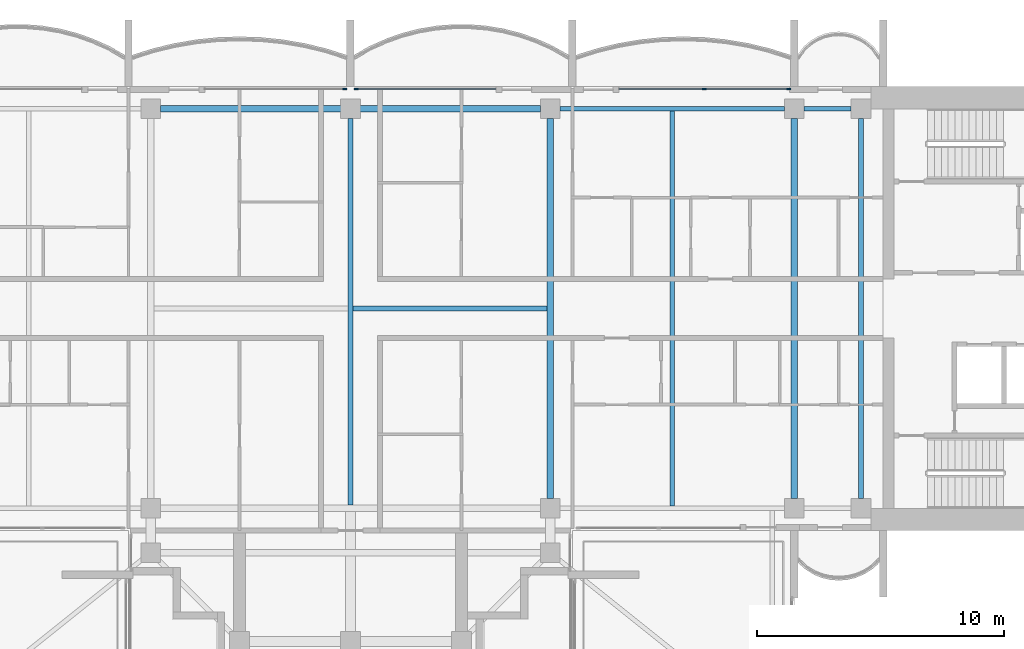
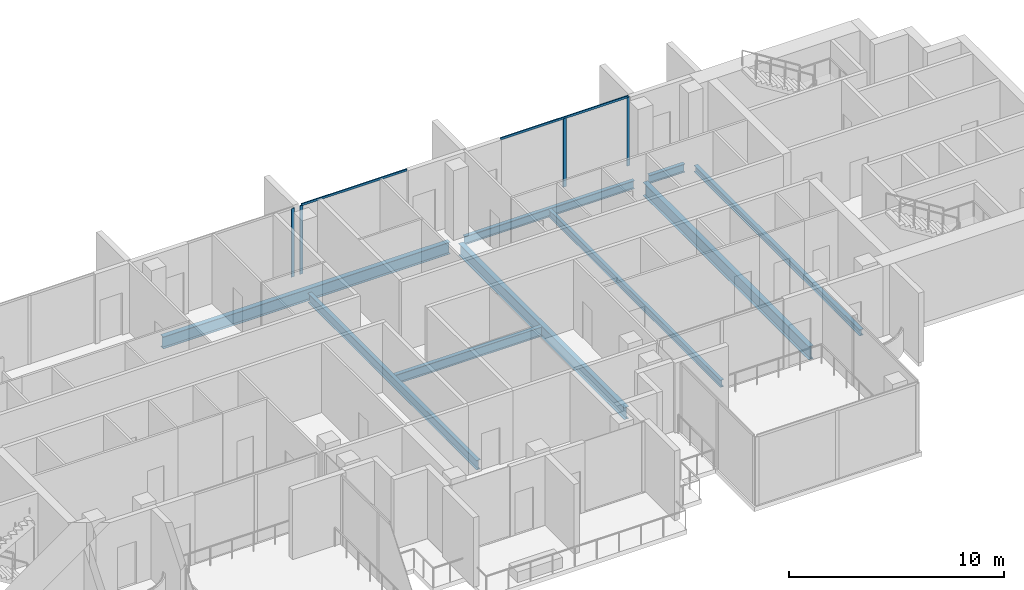
# One storey, part 4 of 16: 9 beams, 6 members, 3 elements without a shape of their own.
"""IFC4 building model written with IfcOpenShell, lengths in metres."""

from ifc_helpers import new_model, si_unit, direction, frame, origin, origin_2d, place, context, subcontext, project, spatial, rectangle, i_section, extrude, material, material_profile, profile_set, type_object, element, aggregate, save


model = new_model("IFC4")

# Units and contexts
model_context = context("Model", 3, precision=1e-05, world=origin(), true_north=direction((0.0, 1.0)))
body_context = subcontext(model_context, "Body", "Model", "MODEL_VIEW")
ifc_project = project(units=[si_unit("LENGTHUNIT", "METRE"), si_unit("AREAUNIT", "SQUARE_METRE"), si_unit("VOLUMEUNIT", "CUBIC_METRE"), si_unit("PLANEANGLEUNIT", "RADIAN"), si_unit("MASSUNIT", "GRAM", prefix="KILO")], contexts=[model_context])

# Site, building, storey
site_placement = place(None, origin())
site = spatial("IfcSite", under=ifc_project, at=site_placement, CompositionType="ELEMENT")
building_placement = place(site_placement, origin())
building = spatial("IfcBuilding", under=site, at=building_placement, Name="Perihelion Cross Residences", CompositionType="ELEMENT")
storey_placement = place(building_placement, frame((0.0, 0.0, 290.39990234375)))
storey = spatial("IfcBuildingStorey", under=building, at=storey_placement, Name="L74", CompositionType="ELEMENT", Elevation=290.39990234375)

# Curtain wall, members
ifc_material_1 = material(Name="Bronze anodised aluminium, tinted glazing", Category="aluminium")
curtain_wall_type = type_object("IfcCurtainWallType", Name="CW1", PredefinedType="NOTDEFINED", material=ifc_material_1)
curtain_wall_1_placement = place(storey_placement, origin())
curtain_wall_1 = element("IfcCurtainWall", 1, at=curtain_wall_1_placement, inside=storey, type_object=curtain_wall_type, Name="Curtain wall CW1 L74 east side north bay 2", PredefinedType="NOTDEFINED")
ifc_material_2 = material(Name="Bronze anodised aluminium", Category="aluminium")
ifc_material_profile_1 = material_profile(ifc_material_2, rectangle(XDim=0.06005859375, YDim=0.159912109375, at=origin_2d()), Name="CW1 mullion")
ifc_profile_set_1 = profile_set([ifc_material_profile_1], Name="Bronze anodised aluminium")
member_type_1 = type_object("IfcMemberType", Name="CW1 mullion", PredefinedType="MULLION", material=ifc_profile_set_1)
member_1_placement = place(storey_placement, frame((17.77001953125, 8.89990234375, 0.0), z_axis=(0.0, 0.0, 1.0), x_axis=(0.0, -1.0, 0.0)))
member_1 = element("IfcMember", 2, at=member_1_placement, type_object=member_type_1, Name="CW1 mullion 1", PredefinedType="MULLION", context=body_context, shape_type="SweptSolid", body=[
    extrude(rectangle(XDim=0.06005859375, YDim=0.159912109375, at=origin_2d()), origin(), (0.0, 0.0, 1.0), 3.89013671875),
])
member_2_placement = place(storey_placement, frame((14.35009765625, 8.89990234375, 0.0), z_axis=(0.0, 0.0, 1.0), x_axis=(0.0, -1.0, 0.0)))
member_2 = element("IfcMember", 3, at=member_2_placement, type_object=member_type_1, Name="CW1 mullion 2", PredefinedType="MULLION", context=body_context, shape_type="SweptSolid", body=[
    extrude(rectangle(XDim=0.06005859375, YDim=0.159912109375, at=origin_2d()), origin(), (0.0, 0.0, 1.0), 3.89013671875),
])

# Curtain wall, member
curtain_wall_2_placement = place(storey_placement, origin())
curtain_wall_2 = element("IfcCurtainWall", 4, at=curtain_wall_2_placement, inside=storey, type_object=curtain_wall_type, Name="Curtain wall CW1 L74 north side east bay 1", PredefinedType="NOTDEFINED")
member_3_placement = place(storey_placement, frame((0.22998046875, 8.89990234375, 0.0), z_axis=(0.0, 0.0, 1.0), x_axis=(0.0, -1.0, 0.0)))
member_3 = element("IfcMember", 5, at=member_3_placement, type_object=member_type_1, Name="CW1 mullion 2", PredefinedType="MULLION", context=body_context, shape_type="SweptSolid", body=[
    extrude(rectangle(XDim=0.06005859375, YDim=0.159912109375, at=origin_2d()), origin(), (0.0, 0.0, 1.0), 3.89013671875),
])

curtain_wall_3_placement = place(storey_placement, origin())
curtain_wall_3 = element("IfcCurtainWall", 6, at=curtain_wall_3_placement, inside=storey, type_object=curtain_wall_type, Name="Curtain wall CW1 L74 north side east bay 2", PredefinedType="NOTDEFINED")
member_4_placement = place(storey_placement, frame((-0.22998046875, 8.89990234375, 0.0), z_axis=(0.0, 0.0, 1.0), x_axis=(0.0, -1.0, 0.0)))
member_4 = element("IfcMember", 7, at=member_4_placement, type_object=member_type_1, Name="CW1 mullion 1", PredefinedType="MULLION", context=body_context, shape_type="SweptSolid", body=[
    extrude(rectangle(XDim=0.06005859375, YDim=0.159912109375, at=origin_2d()), origin(), (0.0, 0.0, 1.0), 3.89013671875),
])
aggregate(curtain_wall_3, [member_4])

# Member
ifc_material_3 = material(Name="Bronze anodised aluminium", Category="aluminium")
ifc_material_profile_2 = material_profile(ifc_material_3, rectangle(XDim=0.06005859375, YDim=0.1201171875, at=origin_2d()), Name="CW1 transom")
ifc_profile_set_2 = profile_set([ifc_material_profile_2], Name="Bronze anodised aluminium")
member_type_2 = type_object("IfcMemberType", Name="CW1 transom", PredefinedType="USERDEFINED", material=ifc_profile_set_2)
member_5_placement = place(storey_placement, frame((17.77001953125, 8.89990234375, 3.920166015625), z_axis=(-1.0, 0.0, 0.0), x_axis=(0.0, -1.0, 0.0)))
member_5 = element("IfcMember", 8, at=member_5_placement, type_object=member_type_2, Name="CW1 head transom", ObjectType="TRANSOM", PredefinedType="USERDEFINED", context=body_context, shape_type="SweptSolid", body=[
    extrude(rectangle(XDim=0.06005859375, YDim=0.1201171875, at=origin_2d()), origin(), (0.0, 0.0, 1.0), 6.8701171875),
])

aggregate(curtain_wall_1, [member_1, member_2, member_5])

member_6_placement = place(storey_placement, frame((5.89990234375, 8.89990234375, 3.920166015625), z_axis=(-1.0, 0.0, 0.0), x_axis=(0.0, -1.0, 0.0)))
member_6 = element("IfcMember", 9, at=member_6_placement, type_object=member_type_2, Name="CW1 head transom", ObjectType="TRANSOM", PredefinedType="USERDEFINED", context=body_context, shape_type="SweptSolid", body=[
    extrude(rectangle(XDim=0.06005859375, YDim=0.1201171875, at=origin_2d()), origin(), (0.0, 0.0, 1.0), 5.669921875),
])

aggregate(curtain_wall_2, [member_3, member_6])

# Beams
ifc_material_4 = material(Name="Steel S355", Category="steel")
ifc_material_profile_3 = material_profile(ifc_material_4, i_section(OverallWidth=0.205078125, OverallDepth=0.35302734375, WebThickness=0.009521484375, FlangeThickness=0.016845703125, at=origin_2d()), Name="W360x79")
ifc_profile_set_3 = profile_set([ifc_material_profile_3], Name="Steel S355")
beam_type_1 = type_object("IfcBeamType", Name="Core edge beam W360x79", PredefinedType="BEAM", material=ifc_profile_set_3)
beam_1_placement = place(storey_placement, frame((20.699951171875, -7.699951171875, -0.426513671875), z_axis=(0.0, 1.0, 0.0), x_axis=(-1.0, 0.0, 0.0)))
element("IfcBeam", 10, at=beam_1_placement, inside=storey, type_object=beam_type_1, Name="Core edge beam TB7 L74 no. 2", PredefinedType="BEAM", context=body_context, shape_type="SweptSolid", body=[
    extrude(i_section(OverallWidth=0.205078125, OverallDepth=0.35302734375, WebThickness=0.009521484375, FlangeThickness=0.016845703125, at=origin_2d()), origin(), (0.0, 0.0, 1.0), 15.39990234375),
])
ifc_material_5 = material(Name="Steel S355", Category="steel")
ifc_material_profile_4 = material_profile(ifc_material_5, i_section(OverallWidth=0.194091796875, OverallDepth=0.469970703125, WebThickness=0.0126953125, FlangeThickness=0.0205078125, at=origin_2d()), Name="W460x106")
ifc_profile_set_4 = profile_set([ifc_material_profile_4], Name="Steel S355")
beam_type_2 = type_object("IfcBeamType", Name="Edge beam W460x106", PredefinedType="SPANDREL", material=ifc_profile_set_4)
beam_2_placement = place(storey_placement, frame((20.300048828125, 8.10009765625, -0.48486328125), z_axis=(-1.0, 0.0, 0.0), x_axis=(0.0, -1.0, 0.0)))
element("IfcBeam", 11, at=beam_2_placement, inside=storey, type_object=beam_type_2, Name="Edge beam SB5 L74 no. 7", PredefinedType="SPANDREL", context=body_context, shape_type="SweptSolid", body=[
    extrude(i_section(OverallWidth=0.194091796875, OverallDepth=0.469970703125, WebThickness=0.0126953125, FlangeThickness=0.0205078125, at=origin_2d()), origin(), (0.0, 0.0, 1.0), 1.900146484375),
])
beam_3_placement = place(storey_placement, frame((17.60009765625, 8.10009765625, -0.48486328125), z_axis=(-1.0, 0.0, 0.0), x_axis=(0.0, -1.0, 0.0)))
element("IfcBeam", 12, at=beam_3_placement, inside=storey, type_object=beam_type_2, Name="Edge beam SB5 L74 no. 6", PredefinedType="SPANDREL", context=body_context, shape_type="SweptSolid", body=[
    extrude(i_section(OverallWidth=0.194091796875, OverallDepth=0.469970703125, WebThickness=0.0126953125, FlangeThickness=0.0205078125, at=origin_2d()), origin(), (0.0, 0.0, 1.0), 9.10009765625),
])
ifc_material_6 = material(Name="Steel S355", Category="steel")
ifc_material_profile_5 = material_profile(ifc_material_6, i_section(OverallWidth=0.26708984375, OverallDepth=0.75390625, WebThickness=0.01318359375, FlangeThickness=0.01708984375, at=origin_2d()), Name="W760x147")
ifc_profile_set_5 = profile_set([ifc_material_profile_5], Name="Steel S355")
beam_type_3 = type_object("IfcBeamType", Name="Floor girder W760x147", PredefinedType="BEAM", material=ifc_profile_set_5)
beam_4_placement = place(storey_placement, frame((18.0, -7.699951171875, -0.626953125), z_axis=(0.0, 1.0, 0.0), x_axis=(-1.0, 0.0, 0.0)))
element("IfcBeam", 13, at=beam_4_placement, inside=storey, type_object=beam_type_3, Name="Girder G5 L74 no. 2", PredefinedType="BEAM", context=body_context, shape_type="SweptSolid", body=[
    extrude(i_section(OverallWidth=0.26708984375, OverallDepth=0.75390625, WebThickness=0.01318359375, FlangeThickness=0.01708984375, at=origin_2d()), origin(), (0.0, 0.0, 1.0), 15.39990234375),
])
ifc_material_7 = material(Name="Steel S355", Category="steel")
ifc_material_profile_6 = material_profile(ifc_material_7, i_section(OverallWidth=0.177978515625, OverallDepth=0.406005859375, WebThickness=0.0078125, FlangeThickness=0.0126953125, at=origin_2d()), Name="W410x60")
ifc_profile_set_6 = profile_set([ifc_material_profile_6], Name="Steel S355")
beam_type_4 = type_object("IfcBeamType", Name="Floor joist W410x60", PredefinedType="JOIST", material=ifc_profile_set_6)
beam_5_placement = place(storey_placement, frame((13.050048828125, -8.0029296875, -0.452880859375), z_axis=(0.0, 1.0, 0.0), x_axis=(-1.0, 0.0, 0.0)))
element("IfcBeam", 14, at=beam_5_placement, inside=storey, type_object=beam_type_4, Name="Joist J6 L74 no. 2", PredefinedType="JOIST", context=body_context, shape_type="SweptSolid", body=[
    extrude(i_section(OverallWidth=0.177978515625, OverallDepth=0.406005859375, WebThickness=0.0078125, FlangeThickness=0.0126953125, at=origin_2d()), origin(), (0.0, 0.0, 1.0), 16.005859375),
])
ifc_material_8 = material(Name="Steel S355", Category="steel")
ifc_material_profile_7 = material_profile(ifc_material_8, i_section(OverallWidth=0.208984375, OverallDepth=0.532958984375, WebThickness=0.01025390625, FlangeThickness=0.015625, at=origin_2d()), Name="W530x92")
ifc_profile_set_7 = profile_set([ifc_material_profile_7], Name="Steel S355")
beam_type_5 = type_object("IfcBeamType", Name="Hub cross beam W530x92", PredefinedType="BEAM", material=ifc_profile_set_7)
beam_6_placement = place(storey_placement, frame((0.0, -7.972900390625, -0.516357421875), z_axis=(0.0, 1.0, 0.0), x_axis=(-1.0, 0.0, 0.0)))
element("IfcBeam", 15, at=beam_6_placement, inside=storey, type_object=beam_type_5, Name="Hub cross beam XB5 L74 no. 1", PredefinedType="BEAM", context=body_context, shape_type="SweptSolid", body=[
    extrude(i_section(OverallWidth=0.208984375, OverallDepth=0.532958984375, WebThickness=0.01025390625, FlangeThickness=0.015625, at=origin_2d()), origin(), (0.0, 0.0, 1.0), 15.6728515625),
])
beam_7_placement = place(storey_placement, frame((0.1044921875, 0.0, -0.516357421875), z_axis=(1.0, 0.0, 0.0), x_axis=(0.0, 1.0, 0.0)))
element("IfcBeam", 16, at=beam_7_placement, inside=storey, type_object=beam_type_5, Name="Hub cross beam XB5 L74 2 no. 1", PredefinedType="BEAM", context=body_context, shape_type="SweptSolid", body=[
    extrude(i_section(OverallWidth=0.208984375, OverallDepth=0.532958984375, WebThickness=0.01025390625, FlangeThickness=0.015625, at=origin_2d()), origin(), (0.0, 0.0, 1.0), 7.868408203125),
])
ifc_material_9 = material(Name="Steel S355", Category="steel")
ifc_material_profile_8 = material_profile(ifc_material_9, i_section(OverallWidth=0.25390625, OverallDepth=0.677978515625, WebThickness=0.01171875, FlangeThickness=0.016357421875, at=origin_2d()), Name="W690x125")
ifc_profile_set_8 = profile_set([ifc_material_profile_8], Name="Steel S355")
beam_type_6 = type_object("IfcBeamType", Name="Hub ring girder W690x125", PredefinedType="BEAM", material=ifc_profile_set_8)
for number, where, z_axis, x_axis, name in (
    (17, (8.10009765625, -7.699951171875, -0.5888671875), (0.0, 1.0, 0.0), (-1.0, 0.0, 0.0), "Hub ring girder RG5 L74 no. 3"),
    (18, (7.699951171875, 8.10009765625, -0.5888671875), (-1.0, 0.0, 0.0), (0.0, -1.0, 0.0), "Hub ring girder RG5 L74 no. 4"),
):
    element("IfcBeam", number, at=place(storey_placement, frame(where, z_axis=z_axis, x_axis=x_axis)), inside=storey, type_object=beam_type_6, Name=name, PredefinedType="BEAM", context=body_context, shape_type="SweptSolid", body=[
        extrude(i_section(OverallWidth=0.25390625, OverallDepth=0.677978515625, WebThickness=0.01171875, FlangeThickness=0.016357421875, at=origin_2d()), origin(), (0.0, 0.0, 1.0), 15.39990234375),
    ])

save(model, "model.ifc")
